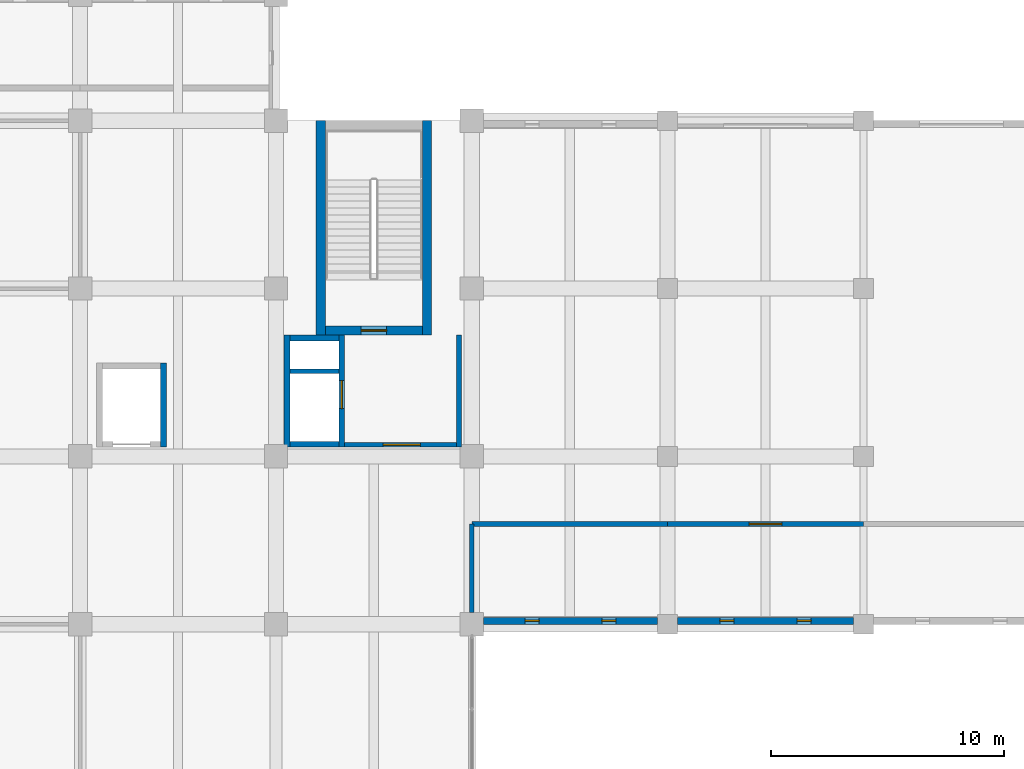
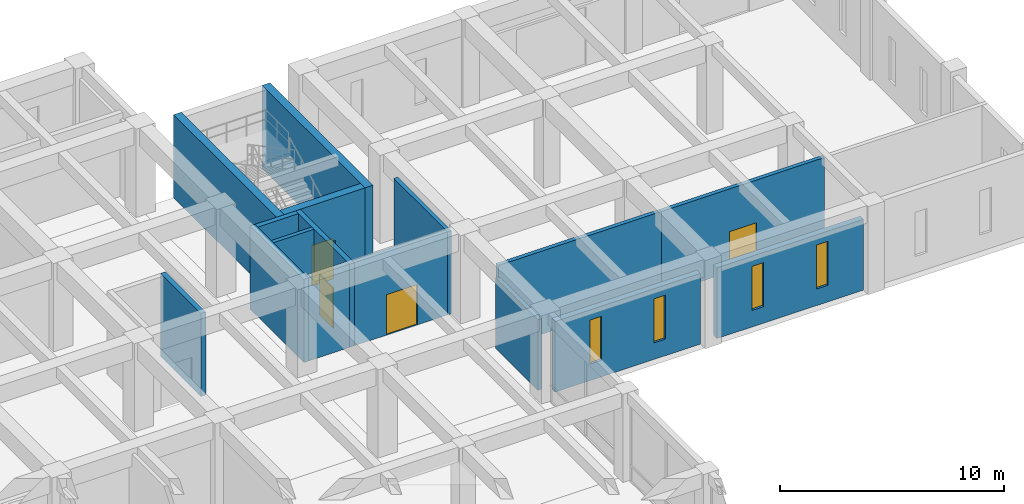
# One storey, part 31 of 49: 16 walls, 4 doors, 4 windows, 8 openings.
"""IFC4 building model written with IfcOpenShell, lengths in metres."""

from ifc_helpers import new_model, si_unit, direction, frame, frame_2d, origin, place, context, subcontext, project, spatial, rectangle, extrude, material, layer, layer_set, type_object, element, fill, save


model = new_model("IFC4")

# Units and contexts
model_context = context("Model", 3, precision=1e-05, world=origin(), true_north=direction((0.0, 1.0)))
body_context = subcontext(model_context, "Body", "Model", "MODEL_VIEW")
ifc_project = project(units=[si_unit("LENGTHUNIT", "METRE"), si_unit("AREAUNIT", "SQUARE_METRE"), si_unit("VOLUMEUNIT", "CUBIC_METRE"), si_unit("PLANEANGLEUNIT", "RADIAN"), si_unit("MASSUNIT", "GRAM", prefix="KILO")], contexts=[model_context])

# Site, building, storey
site_placement = place(None, origin())
site = spatial("IfcSite", under=ifc_project, at=site_placement, CompositionType="ELEMENT")
building_placement = place(site_placement, origin())
building = spatial("IfcBuilding", under=site, at=building_placement, Name="Kenerak Square Central Library", CompositionType="ELEMENT")
storey_placement = place(building_placement, origin())
storey = spatial("IfcBuildingStorey", under=building, at=storey_placement, Name="L00", CompositionType="ELEMENT", Elevation=0.0)

# Wall, openings, windows
ifc_material_1 = material(Name="Concrete C40/50", Category="concrete")
ifc_layer_1 = layer(ifc_material_1, 0.300048828125)
ifc_layer_set_1 = layer_set([ifc_layer_1], Name="Concrete C40/50")
wall_type_1 = type_object("IfcWallType", Name="Board-Marked Brutalist Facade Wall EW-300 C40/50", PredefinedType="SOLIDWALL", material=ifc_layer_set_1)
wall_1_placement = place(storey_placement, frame((133.574951171875, 88.949951171875, 0.0), z_axis=(0.0, 0.0, 1.0), x_axis=(-1.0, 0.0, 0.0)))
wall_1 = element("IfcWall", 1, at=wall_1_placement, inside=storey, type_object=wall_type_1, Name="Exterior Facade Wall L00 0056", PredefinedType="SOLIDWALL", context=body_context, shape_type="SweptSolid", body=[
    extrude(rectangle(XDim=7.550048828125, YDim=0.300048828125, at=frame_2d((3.77490234375, 0.0))), origin(), (0.0, 0.0, 1.0), 3.85009765625),
])
opening_1_placement = place(wall_1_placement, frame((1.81396484375, 0.0, 0.89990234375)))
opening_1 = element("IfcOpeningElement", 2, at=opening_1_placement, cuts=wall_1, Name="Opening W-01", PredefinedType="OPENING", context=body_context, shape_type="SweptSolid", body=[
    extrude(rectangle(XDim=0.60009765625, YDim=2.39990234375, at=frame_2d((0.300048828125, 1.199951171875))), frame((0.0, 0.159912109375, 0.0), z_axis=(0.0, -1.0, 0.0), x_axis=(1.0, 0.0, 0.0)), (0.0, 0.0, 1.0), 0.320068359375),
])
opening_2_placement = place(wall_1_placement, frame((5.135986328125, 0.0, 0.89990234375)))
opening_2 = element("IfcOpeningElement", 3, at=opening_2_placement, cuts=wall_1, Name="Opening W-01", PredefinedType="OPENING", context=body_context, shape_type="SweptSolid", body=[
    extrude(rectangle(XDim=0.60009765625, YDim=2.39990234375, at=frame_2d((0.300048828125, 1.199951171875))), frame((0.0, 0.159912109375, 0.0), z_axis=(0.0, -1.0, 0.0), x_axis=(1.0, 0.0, 0.0)), (0.0, 0.0, 1.0), 0.320068359375),
])
ifc_material_2 = material(Name="Solar-control low-E laminated double glazing", Category="glass")
window_type = type_object("IfcWindowType", Name="UV-Filtered Stack Slot Window W-01 600x2400", PartitioningType="SINGLE_PANEL", PredefinedType="WINDOW", material=ifc_material_2)
window_1_placement = place(opening_1_placement, origin())
window_1 = element("IfcWindow", 4, at=window_1_placement, inside=storey, type_object=window_type, Name="Window W-01 L00 0036", OverallHeight=2.39990234375, OverallWidth=0.60009765625, PartitioningType="SINGLE_PANEL", PredefinedType="WINDOW", context=body_context, shape_type="SweptSolid", body=[
    extrude(rectangle(XDim=0.60009765625, YDim=2.39990234375, at=frame_2d((0.300048828125, 1.199951171875))), frame((0.0, 0.030029296875, 0.0), z_axis=(0.0, -1.0, 0.0), x_axis=(1.0, 0.0, 0.0)), (0.0, 0.0, 1.0), 0.06005859375),
])
fill(opening_1, window_1)
window_2_placement = place(opening_2_placement, origin())
window_2 = element("IfcWindow", 5, at=window_2_placement, inside=storey, type_object=window_type, Name="Window W-01 L00 0037", OverallHeight=2.39990234375, OverallWidth=0.60009765625, PartitioningType="SINGLE_PANEL", PredefinedType="WINDOW", context=body_context, shape_type="SweptSolid", body=[
    extrude(rectangle(XDim=0.60009765625, YDim=2.39990234375, at=frame_2d((0.300048828125, 1.199951171875))), frame((0.0, 0.030029296875, 0.0), z_axis=(0.0, -1.0, 0.0), x_axis=(1.0, 0.0, 0.0)), (0.0, 0.0, 1.0), 0.06005859375),
])
fill(opening_2, window_2)

wall_2_placement = place(storey_placement, frame((125.175048828125, 88.949951171875, 0.0), z_axis=(0.0, 0.0, 1.0), x_axis=(-1.0, 0.0, 0.0)))
wall_2 = element("IfcWall", 6, at=wall_2_placement, inside=storey, type_object=wall_type_1, Name="Exterior Facade Wall L00 0057", PredefinedType="SOLIDWALL", context=body_context, shape_type="SweptSolid", body=[
    extrude(rectangle(XDim=7.47509765625, YDim=0.300048828125, at=frame_2d((3.737548828125, 0.0))), origin(), (0.0, 0.0, 1.0), 3.85009765625),
])
opening_3_placement = place(wall_2_placement, frame((1.79296875, 0.0, 0.89990234375)))
opening_3 = element("IfcOpeningElement", 7, at=opening_3_placement, cuts=wall_2, Name="Opening W-01", PredefinedType="OPENING", context=body_context, shape_type="SweptSolid", body=[
    extrude(rectangle(XDim=0.60009765625, YDim=2.39990234375, at=frame_2d((0.300048828125, 1.199951171875))), frame((0.0, 0.159912109375, 0.0), z_axis=(0.0, -1.0, 0.0), x_axis=(1.0, 0.0, 0.0)), (0.0, 0.0, 1.0), 0.320068359375),
])
opening_4_placement = place(wall_2_placement, frame((5.08203125, 0.0, 0.89990234375)))
opening_4 = element("IfcOpeningElement", 8, at=opening_4_placement, cuts=wall_2, Name="Opening W-01", PredefinedType="OPENING", context=body_context, shape_type="SweptSolid", body=[
    extrude(rectangle(XDim=0.60009765625, YDim=2.39990234375, at=frame_2d((0.300048828125, 1.199951171875))), frame((0.0, 0.159912109375, 0.0), z_axis=(0.0, -1.0, 0.0), x_axis=(1.0, 0.0, 0.0)), (0.0, 0.0, 1.0), 0.320068359375),
])
window_3_placement = place(opening_3_placement, origin())
window_3 = element("IfcWindow", 9, at=window_3_placement, inside=storey, type_object=window_type, Name="Window W-01 L00 0038", OverallHeight=2.39990234375, OverallWidth=0.60009765625, PartitioningType="SINGLE_PANEL", PredefinedType="WINDOW", context=body_context, shape_type="SweptSolid", body=[
    extrude(rectangle(XDim=0.60009765625, YDim=2.39990234375, at=frame_2d((0.300048828125, 1.199951171875))), frame((0.0, 0.030029296875, 0.0), z_axis=(0.0, -1.0, 0.0), x_axis=(1.0, 0.0, 0.0)), (0.0, 0.0, 1.0), 0.06005859375),
])
fill(opening_3, window_3)
window_4_placement = place(opening_4_placement, origin())
window_4 = element("IfcWindow", 10, at=window_4_placement, inside=storey, type_object=window_type, Name="Window W-01 L00 0039", OverallHeight=2.39990234375, OverallWidth=0.60009765625, PartitioningType="SINGLE_PANEL", PredefinedType="WINDOW", context=body_context, shape_type="SweptSolid", body=[
    extrude(rectangle(XDim=0.60009765625, YDim=2.39990234375, at=frame_2d((0.300048828125, 1.199951171875))), frame((0.0, 0.030029296875, 0.0), z_axis=(0.0, -1.0, 0.0), x_axis=(1.0, 0.0, 0.0)), (0.0, 0.0, 1.0), 0.06005859375),
])
fill(opening_4, window_4)

# Walls
ifc_layer_2 = layer(ifc_material_1, 0.39990234375)
ifc_layer_set_2 = layer_set([ifc_layer_2], Name="Concrete C40/50")
wall_type_2 = type_object("IfcWallType", Name="Core Shear Wall CW-400 C40/50", PredefinedType="SHEAR", material=ifc_layer_set_2)
for number, where, z_axis, x_axis, name in (
    (11, (110.719970703125, 101.199951171875, 0.0), (0.0, 0.0, 1.0), (0.0, 1.0, 0.0), "Core Wall CW-C3 L00 West"),
    (12, (115.280029296875, 110.39990234375, 0.0), (0.0, 0.0, 1.0), (0.0, -1.0, 0.0), "Core Wall CW-C3 L00 East"),
):
    element("IfcWall", number, at=place(storey_placement, frame(where, z_axis=z_axis, x_axis=x_axis)), inside=storey, type_object=wall_type_2, Name=name, PredefinedType="SHEAR", context=body_context, shape_type="SweptSolid", body=[
        extrude(rectangle(XDim=9.199951171875, YDim=0.39990234375, at=frame_2d((4.60009765625, 0.0))), origin(), (0.0, 0.0, 1.0), 4.52490234375),
    ])

# Wall, opening, door
wall_3_placement = place(storey_placement, frame((115.080078125, 101.39990234375, 0.0), z_axis=(0.0, 0.0, 1.0), x_axis=(-1.0, 0.0, 0.0)))
wall_3 = element("IfcWall", 13, at=wall_3_placement, inside=storey, type_object=wall_type_2, Name="Core Wall CW-C3 L00 South", PredefinedType="SHEAR", context=body_context, shape_type="SweptSolid", body=[
    extrude(rectangle(XDim=4.16015625, YDim=0.39990234375, at=frame_2d((2.080078125, 0.0))), origin(), (0.0, 0.0, 1.0), 4.52490234375),
])
opening_5_placement = place(wall_3_placement, frame((1.530029296875, 0.0, 0.0)))
opening_5 = element("IfcOpeningElement", 14, at=opening_5_placement, cuts=wall_3, Name="Opening D-ST1", PredefinedType="OPENING", context=body_context, shape_type="SweptSolid", body=[
    extrude(rectangle(XDim=1.10009765625, YDim=2.199951171875, at=frame_2d((0.550048828125, 1.10009765625))), frame((0.0, 0.2099609375, 0.0), z_axis=(0.0, -1.0, 0.0), x_axis=(1.0, 0.0, 0.0)), (0.0, 0.0, 1.0), 0.419921875),
])
ifc_material_3 = material(Name="Steel S355", Category="steel")
door_type_1 = type_object("IfcDoorType", Name="Protected Stair Fire Door FD-1100x2200 FD60S", OperationType="NOTDEFINED", PredefinedType="DOOR", material=ifc_material_3)
door_1_placement = place(opening_5_placement, frame((1.10009765625, 0.0, 0.0), z_axis=(0.0, 0.0, 1.0), x_axis=(-1.0, 0.0, 0.0)))
door_1 = element("IfcDoor", 15, at=door_1_placement, inside=storey, type_object=door_type_1, Name="Stair Door ST-03 L00", OperationType="SINGLE_SWING_LEFT", OverallHeight=2.199951171875, OverallWidth=1.10009765625, PredefinedType="DOOR", context=body_context, shape_type="SweptSolid", body=[
    extrude(rectangle(XDim=1.10009765625, YDim=2.199951171875, at=frame_2d((0.550048828125, 1.10009765625))), frame((0.0, 0.02490234375, 0.0), z_axis=(0.0, -1.0, 0.0), x_axis=(1.0, 0.0, 0.0)), (0.0, 0.0, 1.0), 0.050048828125),
])
fill(opening_5, door_1)

# Walls
ifc_layer_3 = layer(ifc_material_1, 0.199951171875)
ifc_layer_set_3 = layer_set([ifc_layer_3], Name="Concrete C40/50")
wall_type_3 = type_object("IfcWallType", Name="Lobby Compartment Wall LW-200 C40/50", PredefinedType="SOLIDWALL", material=ifc_layer_set_3)
wall_4_placement = place(storey_placement, frame((109.39990234375, 99.64990234375, 0.0), z_axis=(0.0, 0.0, 1.0), x_axis=(1.0, 0.0, 0.0)))
element("IfcWall", 16, at=wall_4_placement, inside=storey, type_object=wall_type_3, Name="Riser Divider Wall C3 L00", PredefinedType="SOLIDWALL", context=body_context, shape_type="SweptSolid", body=[
    extrude(rectangle(XDim=2.10009765625, YDim=0.199951171875, at=frame_2d((1.050048828125, 0.0))), origin(), (0.0, 0.0, 1.0), 4.52490234375),
])
wall_5_placement = place(storey_placement, frame((116.64990234375, 101.199951171875, 0.0), z_axis=(0.0, 0.0, 1.0), x_axis=(0.0, -1.0, 0.0)))
element("IfcWall", 17, at=wall_5_placement, inside=storey, type_object=wall_type_3, Name="Firefighting Lobby East Wall C3 L00", PredefinedType="SOLIDWALL", context=body_context, shape_type="SweptSolid", body=[
    extrude(rectangle(XDim=4.800048828125, YDim=0.199951171875, at=frame_2d((2.39990234375, 0.0))), origin(), (0.0, 0.0, 1.0), 4.52490234375),
])

# Wall, opening, door
wall_6_placement = place(storey_placement, frame((116.550048828125, 96.5, 0.0), z_axis=(0.0, 0.0, 1.0), x_axis=(-1.0, 0.0, 0.0)))
wall_6 = element("IfcWall", 18, at=wall_6_placement, inside=storey, type_object=wall_type_3, Name="Firefighting Lobby South Wall C3 L00", PredefinedType="SOLIDWALL", context=body_context, shape_type="SweptSolid", body=[
    extrude(rectangle(XDim=4.800048828125, YDim=0.199951171875, at=frame_2d((2.39990234375, 0.0))), origin(), (0.0, 0.0, 1.0), 4.52490234375),
])
opening_6_placement = place(wall_6_placement, frame((1.550048828125, 0.0, 0.0)))
opening_6 = element("IfcOpeningElement", 19, at=opening_6_placement, cuts=wall_6, Name="Opening D-FFL", PredefinedType="OPENING", context=body_context, shape_type="SweptSolid", body=[
    extrude(rectangle(XDim=1.60009765625, YDim=2.199951171875, at=frame_2d((0.800048828125, 1.10009765625))), frame((0.0, 0.10986328125, 0.0), z_axis=(0.0, -1.0, 0.0), x_axis=(1.0, 0.0, 0.0)), (0.0, 0.0, 1.0), 0.219970703125),
])
door_type_2 = type_object("IfcDoorType", Name="Firefighting Lobby Double Door FD-1600x2200 FD60S", OperationType="NOTDEFINED", PredefinedType="DOOR", material=ifc_material_3)
door_2_placement = place(opening_6_placement, frame((1.60009765625, 0.0, 0.0), z_axis=(0.0, 0.0, 1.0), x_axis=(-1.0, 0.0, 0.0)))
door_2 = element("IfcDoor", 20, at=door_2_placement, inside=storey, type_object=door_type_2, Name="Firefighting Lobby Door C3 L00", OperationType="DOUBLE_DOOR_SINGLE_SWING", OverallHeight=2.199951171875, OverallWidth=1.60009765625, PredefinedType="DOOR", context=body_context, shape_type="SweptSolid", body=[
    extrude(rectangle(XDim=1.60009765625, YDim=2.199951171875, at=frame_2d((0.800048828125, 1.10009765625))), frame((0.0, 0.02490234375, 0.0), z_axis=(0.0, -1.0, 0.0), x_axis=(1.0, 0.0, 0.0)), (0.0, 0.0, 1.0), 0.050048828125),
])
fill(opening_6, door_2)

# Wall
ifc_material_4 = material(Name="Precast concrete C40/50", Category="concrete")
ifc_layer_4 = layer(ifc_material_4, 0.199951171875)
ifc_layer_set_4 = layer_set([ifc_layer_4], Name="Precast concrete C40/50")
wall_type_4 = type_object("IfcWallType", Name="Protected Corridor Fire Wall IW-200 C40/50", PredefinedType="PARTITIONING", material=ifc_layer_set_4)
wall_7_placement = place(storey_placement, frame((117.199951171875, 93.10009765625, 0.0), z_axis=(0.0, 0.0, 1.0), x_axis=(1.0, 0.0, 0.0)))
element("IfcWall", 21, at=wall_7_placement, inside=storey, type_object=wall_type_4, Name="Interior Wall IW-L00-15-N2-B1", PredefinedType="PARTITIONING", context=body_context, shape_type="SweptSolid", body=[
    extrude(rectangle(XDim=8.400146484375, YDim=0.199951171875, at=frame_2d((4.2001953125, 0.0))), origin(), (0.0, 0.0, 1.0), 4.52490234375),
])

# Wall, opening, door
wall_8_placement = place(storey_placement, frame((125.60009765625, 93.10009765625, 0.0), z_axis=(0.0, 0.0, 1.0), x_axis=(1.0, 0.0, 0.0)))
wall_8 = element("IfcWall", 22, at=wall_8_placement, inside=storey, type_object=wall_type_4, Name="Interior Wall IW-L00-15-N2-B2", PredefinedType="PARTITIONING", context=body_context, shape_type="SweptSolid", body=[
    extrude(rectangle(XDim=8.39990234375, YDim=0.199951171875, at=frame_2d((4.199951171875, 0.0))), origin(), (0.0, 0.0, 1.0), 4.52490234375),
])
opening_7_placement = place(wall_8_placement, frame((3.5, 0.0, 0.0)))
opening_7 = element("IfcOpeningElement", 23, at=opening_7_placement, cuts=wall_8, Name="Opening ID-07", PredefinedType="OPENING", context=body_context, shape_type="SweptSolid", body=[
    extrude(rectangle(XDim=1.39990234375, YDim=2.199951171875, at=frame_2d((0.699951171875, 1.10009765625))), frame((0.0, 0.10986328125, 0.0), z_axis=(0.0, -1.0, 0.0), x_axis=(1.0, 0.0, 0.0)), (0.0, 0.0, 1.0), 0.219970703125),
])
door_type_3 = type_object("IfcDoorType", Name="Plant and Store Unequal Pair Door ID-1400x2200 FD60S", OperationType="NOTDEFINED", PredefinedType="DOOR", material=ifc_material_3)
door_3_placement = place(opening_7_placement, origin())
door_3 = element("IfcDoor", 24, at=door_3_placement, inside=storey, type_object=door_type_3, Name="Acquisitions Loading Bay Reception and Unpacking Store Door", OperationType="SINGLE_SWING_LEFT", OverallHeight=2.199951171875, OverallWidth=1.39990234375, PredefinedType="DOOR", context=body_context, shape_type="SweptSolid", body=[
    extrude(rectangle(XDim=1.39990234375, YDim=2.199951171875, at=frame_2d((0.699951171875, 1.10009765625))), frame((0.0, 0.02490234375, 0.0), z_axis=(0.0, -1.0, 0.0), x_axis=(1.0, 0.0, 0.0)), (0.0, 0.0, 1.0), 0.050048828125),
])
fill(opening_7, door_3)

# Walls
wall_9_placement = place(storey_placement, frame((117.199951171875, 89.300048828125, 0.0), z_axis=(0.0, 0.0, 1.0), x_axis=(0.0, 1.0, 0.0)))
element("IfcWall", 25, at=wall_9_placement, inside=storey, type_object=wall_type_4, Name="Interior Wall IW-L00-15-W3-B1", PredefinedType="PARTITIONING", context=body_context, shape_type="SweptSolid", body=[
    extrude(rectangle(XDim=3.800048828125, YDim=0.199951171875, at=frame_2d((1.89990234375, 0.0))), origin(), (0.0, 0.0, 1.0), 3.85009765625),
])
ifc_layer_5 = layer(ifc_material_1, 0.25)
ifc_layer_set_5 = layer_set([ifc_layer_5], Name="Concrete C40/50")
wall_type_5 = type_object("IfcWallType", Name="Shaft Enclosure Wall SW-250 C40/50", PredefinedType="SOLIDWALL", material=ifc_layer_set_5)
wall_10_placement = place(storey_placement, frame((109.27490234375, 96.39990234375, 0.0), z_axis=(0.0, 0.0, 1.0), x_axis=(0.0, 1.0, 0.0)))
element("IfcWall", 26, at=wall_10_placement, inside=storey, type_object=wall_type_5, Name="Core Wall FLW-C3 L00 West", PredefinedType="SOLIDWALL", context=body_context, shape_type="SweptSolid", body=[
    extrude(rectangle(XDim=4.800048828125, YDim=0.25, at=frame_2d((2.39990234375, 0.0))), origin(), (0.0, 0.0, 1.0), 4.52490234375),
])

# Wall, opening, door
wall_11_placement = place(storey_placement, frame((111.625, 101.199951171875, 0.0), z_axis=(0.0, 0.0, 1.0), x_axis=(0.0, -1.0, 0.0)))
wall_11 = element("IfcWall", 27, at=wall_11_placement, inside=storey, type_object=wall_type_5, Name="Core Wall FLW-C3 L00 East", PredefinedType="SOLIDWALL", context=body_context, shape_type="SweptSolid", body=[
    extrude(rectangle(XDim=4.800048828125, YDim=0.25, at=frame_2d((2.39990234375, 0.0))), origin(), (0.0, 0.0, 1.0), 4.52490234375),
])
opening_8_placement = place(wall_11_placement, frame((1.949951171875, 0.0, 0.0)))
opening_8 = element("IfcOpeningElement", 28, at=opening_8_placement, cuts=wall_11, Name="Opening LD-FL", PredefinedType="OPENING", context=body_context, shape_type="SweptSolid", body=[
    extrude(rectangle(XDim=1.199951171875, YDim=2.199951171875, at=frame_2d((0.60009765625, 1.10009765625))), frame((0.0, 0.135009765625, 0.0), z_axis=(0.0, -1.0, 0.0), x_axis=(1.0, 0.0, 0.0)), (0.0, 0.0, 1.0), 0.27001953125),
])
door_type_4 = type_object("IfcDoorType", Name="Firefighting Lift Sliding Landing Door LD-1200x2200 FD120S", OperationType="NOTDEFINED", PredefinedType="DOOR", material=ifc_material_3)
door_4_placement = place(opening_8_placement, origin())
door_4 = element("IfcDoor", 29, at=door_4_placement, inside=storey, type_object=door_type_4, Name="Firefighting Lift Landing Door FL-03 L00", OperationType="SLIDING_TO_LEFT", OverallHeight=2.199951171875, OverallWidth=1.199951171875, PredefinedType="DOOR", context=body_context, shape_type="SweptSolid", body=[
    extrude(rectangle(XDim=1.199951171875, YDim=2.199951171875, at=frame_2d((0.60009765625, 1.10009765625))), frame((0.0, 0.02490234375, 0.0), z_axis=(0.0, -1.0, 0.0), x_axis=(1.0, 0.0, 0.0)), (0.0, 0.0, 1.0), 0.050048828125),
])
fill(opening_8, door_4)

# Walls
for number, where, z_axis, x_axis, name in (
    (30, (111.5, 96.52490234375, 0.0), (0.0, 0.0, 1.0), (-1.0, 0.0, 0.0), "Core Wall FLW-C3 L00 South"),
    (31, (109.39990234375, 101.074951171875, 0.0), (0.0, 0.0, 1.0), (1.0, 0.0, 0.0), "Core Wall FLW-C3 L00 North"),
):
    element("IfcWall", number, at=place(storey_placement, frame(where, z_axis=z_axis, x_axis=x_axis)), inside=storey, type_object=wall_type_5, Name=name, PredefinedType="SOLIDWALL", context=body_context, shape_type="SweptSolid", body=[
        extrude(rectangle(XDim=2.10009765625, YDim=0.25, at=frame_2d((1.050048828125, 0.0))), origin(), (0.0, 0.0, 1.0), 4.52490234375),
    ])
wall_12_placement = place(storey_placement, frame((103.97509765625, 100.0, 0.0), z_axis=(0.0, 0.0, 1.0), x_axis=(0.0, -1.0, 0.0)))
element("IfcWall", 32, at=wall_12_placement, inside=storey, type_object=wall_type_5, Name="Core Wall GLSHAFT L00 East", PredefinedType="SOLIDWALL", context=body_context, shape_type="SweptSolid", body=[
    extrude(rectangle(XDim=3.60009765625, YDim=0.25, at=frame_2d((1.800048828125, 0.0))), origin(), (0.0, 0.0, 1.0), 4.52490234375),
])

save(model, "model.ifc")
